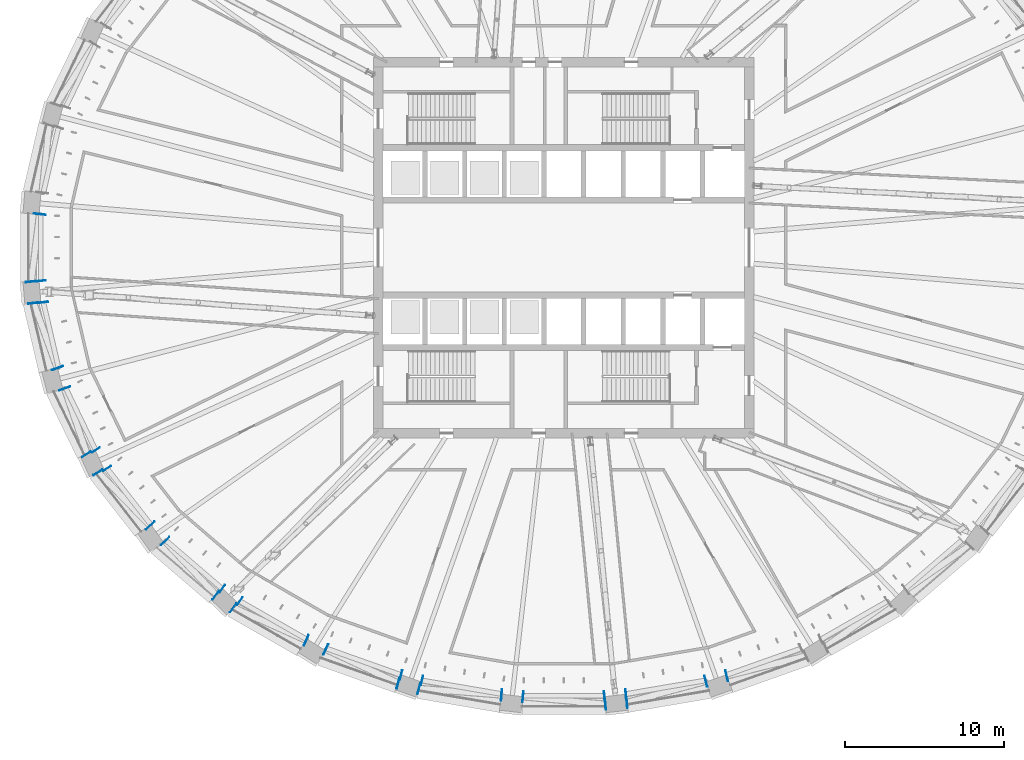
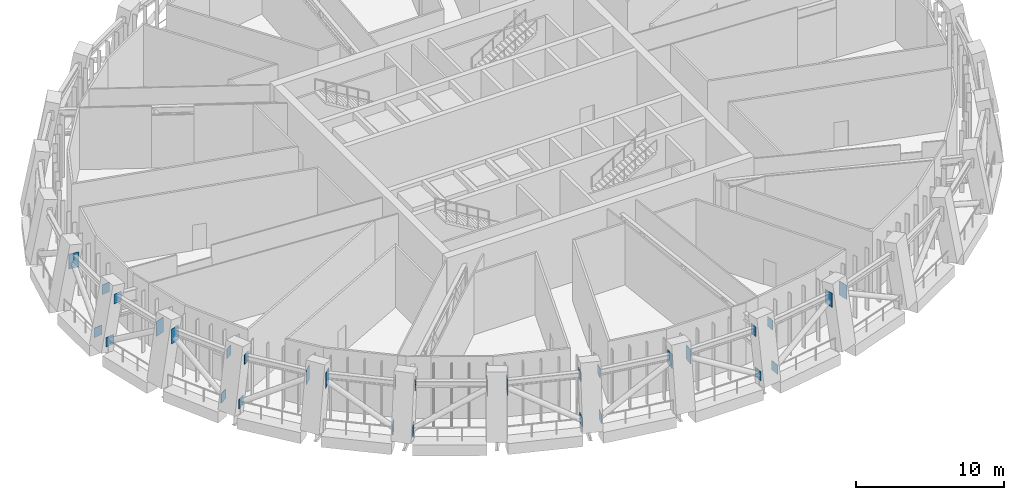
# One storey, part 12 of 21: 31 discrete accessories.
"""IFC4 building model written with IfcOpenShell, lengths in metres."""

from ifc_helpers import new_model, si_unit, direction, frame, origin, origin_2d, place, context, subcontext, project, spatial, rectangle, extrude, material, layer, layer_set, type_object, element, save


model = new_model("IFC4")

# Units and contexts
model_context = context("Model", 3, precision=1e-05, world=origin(), true_north=direction((0.0, 1.0)))
body_context = subcontext(model_context, "Body", "Model", "MODEL_VIEW")
ifc_project = project(units=[si_unit("LENGTHUNIT", "METRE"), si_unit("AREAUNIT", "SQUARE_METRE"), si_unit("VOLUMEUNIT", "CUBIC_METRE"), si_unit("PLANEANGLEUNIT", "RADIAN"), si_unit("MASSUNIT", "GRAM", prefix="KILO")], contexts=[model_context])

# Site, building, storey
site_placement = place(None, origin())
site = spatial("IfcSite", under=ifc_project, at=site_placement, CompositionType="ELEMENT")
building_placement = place(site_placement, origin())
building = spatial("IfcBuilding", under=site, at=building_placement, Name="Halqa Exchange Tower", CompositionType="ELEMENT")
storey_placement = place(building_placement, frame((0.0, 0.0, 173.5)))
storey = spatial("IfcBuildingStorey", under=building, at=storey_placement, Name="L39", CompositionType="ELEMENT", Elevation=173.5)

# Discrete accessories
ifc_material = material(Name="Steel S355", Category="steel")
ifc_layer = layer(ifc_material, 0.0400390625)
ifc_layer_set = layer_set([ifc_layer], Name="Steel S355")
discrete_accessory_type = type_object("IfcDiscreteAccessoryType", Name="Belt truss anchor plate 40", PredefinedType="ANCHORPLATE", material=ifc_layer_set)
discrete_accessory_1_placement = place(storey_placement, frame((-33.04052734375, 2.126953125, 4.031005859375), z_axis=(-0.116485527129, -0.993192389202, 0.0), x_axis=(0.993192389202, -0.116485527129, 0.0)))
element("IfcDiscreteAccessory", 1, at=discrete_accessory_1_placement, inside=storey, type_object=discrete_accessory_type, Name="Belt truss anchor plate", PredefinedType="ANCHORPLATE", context=body_context, shape_type="SweptSolid", body=[
    extrude(rectangle(XDim=0.736083984375, YDim=1.238037109375, at=origin_2d()), origin(), (0.0, 0.0, 1.0), 0.039794921875),
])
for number, where, z_axis, x_axis, name in (
    (2, (-32.822998046875, -3.4306640625, 4.25), (0.115780500934, -0.993274823804, 0.0), (0.993274823804, 0.115780500934, 0.0), "Belt truss anchor plate"),
    (3, (-32.97314453125, -2.119384765625, 4.25), (-0.109762219212, 0.993957873973, 0.0), (-0.993957873973, -0.109762219212, 0.0), "Belt truss anchor plate"),
):
    element("IfcDiscreteAccessory", number, at=place(storey_placement, frame(where, z_axis=z_axis, x_axis=x_axis)), inside=storey, type_object=discrete_accessory_type, Name=name, PredefinedType="ANCHORPLATE", context=body_context, shape_type="SweptSolid", body=[
        extrude(rectangle(XDim=0.60009765625, YDim=0.800048828125, at=origin_2d()), origin(), (0.0, 0.0, 1.0), 0.0400390625),
    ])
discrete_accessory_2_placement = place(storey_placement, frame((-33.45849609375, -3.482666015625, 0.950927734375), z_axis=(0.109762219212, -0.993957873973, 0.0), x_axis=(0.993957873973, 0.109762219212, 0.0)))
element("IfcDiscreteAccessory", 4, at=discrete_accessory_2_placement, inside=storey, type_object=discrete_accessory_type, Name="Belt truss anchor plate", PredefinedType="ANCHORPLATE", context=body_context, shape_type="SweptSolid", body=[
    extrude(rectangle(XDim=0.652099609375, YDim=0.784912109375, at=origin_2d()), origin(), (0.0, 0.0, 1.0), 0.0400390625),
])
discrete_accessory_3_placement = place(storey_placement, frame((-33.6083984375, -2.171142578125, 0.956787109375), z_axis=(-0.110431526075, 0.993883734674, 0.0), x_axis=(-0.993883734674, -0.110431526075, 0.0)))
element("IfcDiscreteAccessory", 5, at=discrete_accessory_3_placement, inside=storey, type_object=discrete_accessory_type, Name="Belt truss anchor plate", PredefinedType="ANCHORPLATE", context=body_context, shape_type="SweptSolid", body=[
    extrude(rectangle(XDim=0.64990234375, YDim=0.787109375, at=origin_2d()), origin(), (0.0, 0.0, 1.0), 0.039794921875),
])
discrete_accessory_4_placement = place(storey_placement, frame((-31.4794921875, -8.86376953125, 4.0341796875), z_axis=(0.328993186606, -0.944332294887, 0.0), x_axis=(0.944332294887, 0.328993186606, 0.0)))
element("IfcDiscreteAccessory", 6, at=discrete_accessory_4_placement, inside=storey, type_object=discrete_accessory_type, Name="Belt truss anchor plate", PredefinedType="ANCHORPLATE", context=body_context, shape_type="SweptSolid", body=[
    extrude(rectangle(XDim=0.73291015625, YDim=1.23193359375, at=origin_2d()), origin(), (0.0, 0.0, 1.0), 0.0400390625),
])
discrete_accessory_5_placement = place(storey_placement, frame((-31.919189453125, -7.619140625, 4.03466796875), z_axis=(-0.336336396998, 0.941741911595, 0.0), x_axis=(-0.941741911595, -0.336336396998, 0.0)))
element("IfcDiscreteAccessory", 7, at=discrete_accessory_5_placement, inside=storey, type_object=discrete_accessory_type, Name="Belt truss anchor plate", PredefinedType="ANCHORPLATE", context=body_context, shape_type="SweptSolid", body=[
    extrude(rectangle(XDim=0.73388671875, YDim=1.23095703125, at=origin_2d()), origin(), (0.0, 0.0, 1.0), 0.0400390625),
])
for number, where, z_axis, x_axis, name in (
    (8, (-28.8125, -13.91064453125, 4.25), (0.526143980405, -0.850395503212, 0.0), (0.850395503212, 0.526143980405, 0.0), "Belt truss anchor plate"),
    (9, (-29.509521484375, -12.78955078125, 4.25), (-0.526143980405, 0.850395503212, 0.0), (-0.850395503212, -0.526143980405, 0.0), "Belt truss anchor plate"),
):
    element("IfcDiscreteAccessory", number, at=place(storey_placement, frame(where, z_axis=z_axis, x_axis=x_axis)), inside=storey, type_object=discrete_accessory_type, Name=name, PredefinedType="ANCHORPLATE", context=body_context, shape_type="SweptSolid", body=[
        extrude(rectangle(XDim=0.60009765625, YDim=0.800048828125, at=origin_2d()), origin(), (0.0, 0.0, 1.0), 0.039794921875),
    ])
discrete_accessory_6_placement = place(storey_placement, frame((-29.37841796875, -14.162353515625, 0.92529296875), z_axis=(0.526143980405, -0.850395503212, 0.0), x_axis=(0.850395503212, 0.526143980405, 0.0)))
element("IfcDiscreteAccessory", 10, at=discrete_accessory_6_placement, inside=storey, type_object=discrete_accessory_type, Name="Belt truss anchor plate", PredefinedType="ANCHORPLATE", context=body_context, shape_type="SweptSolid", body=[
    extrude(rectangle(XDim=0.666015625, YDim=0.778076171875, at=origin_2d()), origin(), (0.0, 0.0, 1.0), 0.039794921875),
])
discrete_accessory_7_placement = place(storey_placement, frame((-30.0732421875, -13.0400390625, 0.950927734375), z_axis=(-0.530546985787, 0.847655529016, 0.0), x_axis=(-0.847655529016, -0.530546985787, 0.0)))
element("IfcDiscreteAccessory", 11, at=discrete_accessory_7_placement, inside=storey, type_object=discrete_accessory_type, Name="Belt truss anchor plate", PredefinedType="ANCHORPLATE", context=body_context, shape_type="SweptSolid", body=[
    extrude(rectangle(XDim=0.657958984375, YDim=0.784912109375, at=origin_2d()), origin(), (0.0, 0.0, 1.0), 0.0400390625),
])
discrete_accessory_8_placement = place(storey_placement, frame((-25.153564453125, -18.490966796875, 4.04736328125), z_axis=(0.694812020929, -0.719191390085, 0.0), x_axis=(0.719191390085, 0.694812020929, 0.0)))
element("IfcDiscreteAccessory", 12, at=discrete_accessory_8_placement, inside=storey, type_object=discrete_accessory_type, Name="Belt truss anchor plate", PredefinedType="ANCHORPLATE", context=body_context, shape_type="SweptSolid", body=[
    extrude(rectangle(XDim=0.72412109375, YDim=1.205078125, at=origin_2d()), origin(), (0.0, 0.0, 1.0), 0.0400390625),
])
discrete_accessory_9_placement = place(storey_placement, frame((-26.065673828125, -17.53662109375, 4.0478515625), z_axis=(-0.691639439628, 0.722242954656, 0.0), x_axis=(-0.722242954656, -0.691639439628, 0.0)))
element("IfcDiscreteAccessory", 13, at=discrete_accessory_9_placement, inside=storey, type_object=discrete_accessory_type, Name="Belt truss anchor plate", PredefinedType="ANCHORPLATE", context=body_context, shape_type="SweptSolid", body=[
    extrude(rectangle(XDim=0.72607421875, YDim=1.2041015625, at=origin_2d()), origin(), (0.0, 0.0, 1.0), 0.039794921875),
])
discrete_accessory_10_placement = place(storey_placement, frame((-20.444091796875, -22.282470703125, 4.25), z_axis=(0.816627394595, -0.577165226255, 0.0), x_axis=(0.577165226255, 0.816627394595, 0.0)))
element("IfcDiscreteAccessory", 14, at=discrete_accessory_10_placement, inside=storey, type_object=discrete_accessory_type, Name="Belt truss anchor plate", PredefinedType="ANCHORPLATE", context=body_context, shape_type="SweptSolid", body=[
    extrude(rectangle(XDim=0.60009765625, YDim=0.800048828125, at=origin_2d()), origin(), (0.0, 0.0, 1.0), 0.039794921875),
])
discrete_accessory_11_placement = place(storey_placement, frame((-21.522705078125, -21.521484375, 4.25), z_axis=(-0.81865747399, 0.57428210862, 0.0), x_axis=(-0.57428210862, -0.81865747399, 0.0)))
element("IfcDiscreteAccessory", 15, at=discrete_accessory_11_placement, inside=storey, type_object=discrete_accessory_type, Name="Belt truss anchor plate", PredefinedType="ANCHORPLATE", context=body_context, shape_type="SweptSolid", body=[
    extrude(rectangle(XDim=0.60009765625, YDim=0.800048828125, at=origin_2d()), origin(), (0.0, 0.0, 1.0), 0.0400390625),
])
discrete_accessory_12_placement = place(storey_placement, frame((-20.853271484375, -22.697998046875, 0.90087890625), z_axis=(0.81865747399, -0.57428210862, 0.0), x_axis=(0.57428210862, 0.81865747399, 0.0)))
element("IfcDiscreteAccessory", 16, at=discrete_accessory_12_placement, inside=storey, type_object=discrete_accessory_type, Name="Belt truss anchor plate", PredefinedType="ANCHORPLATE", context=body_context, shape_type="SweptSolid", body=[
    extrude(rectangle(XDim=0.68310546875, YDim=0.77099609375, at=origin_2d()), origin(), (0.0, 0.0, 1.0), 0.0400390625),
])
discrete_accessory_13_placement = place(storey_placement, frame((-21.930908203125, -21.935302734375, 0.9248046875), z_axis=(-0.816627394595, 0.577165226255, 0.0), x_axis=(-0.577165226255, -0.816627394595, 0.0)))
element("IfcDiscreteAccessory", 17, at=discrete_accessory_13_placement, inside=storey, type_object=discrete_accessory_type, Name="Belt truss anchor plate", PredefinedType="ANCHORPLATE", context=body_context, shape_type="SweptSolid", body=[
    extrude(rectangle(XDim=0.675048828125, YDim=0.778076171875, at=origin_2d()), origin(), (0.0, 0.0, 1.0), 0.039794921875),
])
discrete_accessory_14_placement = place(storey_placement, frame((-15.018798828125, -25.32080078125, 4.060546875), z_axis=(0.90742390538, -0.420216439404, 0.0), x_axis=(0.420216439404, 0.90742390538, 0.0)))
element("IfcDiscreteAccessory", 18, at=discrete_accessory_14_placement, inside=storey, type_object=discrete_accessory_type, Name="Belt truss anchor plate", PredefinedType="ANCHORPLATE", context=body_context, shape_type="SweptSolid", body=[
    extrude(rectangle(XDim=0.717041015625, YDim=1.178955078125, at=origin_2d()), origin(), (0.0, 0.0, 1.0), 0.0400390625),
])
discrete_accessory_15_placement = place(storey_placement, frame((-16.218505859375, -24.7705078125, 4.060791015625), z_axis=(-0.9097381412, 0.415182507393, 0.0), x_axis=(-0.415182507393, -0.9097381412, 0.0)))
element("IfcDiscreteAccessory", 19, at=discrete_accessory_15_placement, inside=storey, type_object=discrete_accessory_type, Name="Belt truss anchor plate", PredefinedType="ANCHORPLATE", context=body_context, shape_type="SweptSolid", body=[
    extrude(rectangle(XDim=0.718017578125, YDim=1.177978515625, at=origin_2d()), origin(), (0.0, 0.0, 1.0), 0.0400390625),
])
discrete_accessory_16_placement = place(storey_placement, frame((-8.965087890625, -27.2880859375, 4.25), z_axis=(0.968324838627, -0.249693826313, 0.0), x_axis=(0.249693826313, 0.968324838627, 0.0)))
element("IfcDiscreteAccessory", 20, at=discrete_accessory_16_placement, inside=storey, type_object=discrete_accessory_type, Name="Belt truss anchor plate", PredefinedType="ANCHORPLATE", context=body_context, shape_type="SweptSolid", body=[
    extrude(rectangle(XDim=0.60009765625, YDim=0.800048828125, at=origin_2d()), origin(), (0.0, 0.0, 1.0), 0.0400390625),
])
discrete_accessory_17_placement = place(storey_placement, frame((-10.242431640625, -26.954833984375, 4.25), z_axis=(-0.967941754644, 0.251174759116, 0.0), x_axis=(-0.251174759116, -0.967941754644, 0.0)))
element("IfcDiscreteAccessory", 21, at=discrete_accessory_17_placement, inside=storey, type_object=discrete_accessory_type, Name="Belt truss anchor plate", PredefinedType="ANCHORPLATE", context=body_context, shape_type="SweptSolid", body=[
    extrude(rectangle(XDim=0.60009765625, YDim=0.800048828125, at=origin_2d()), origin(), (0.0, 0.0, 1.0), 0.039794921875),
])
discrete_accessory_18_placement = place(storey_placement, frame((-9.15283203125, -27.8046875, 0.88818359375), z_axis=(0.967941754644, -0.251174759116, 0.0), x_axis=(0.251174759116, 0.967941754644, 0.0)))
element("IfcDiscreteAccessory", 22, at=discrete_accessory_18_placement, inside=storey, type_object=discrete_accessory_type, Name="Belt truss anchor plate", PredefinedType="ANCHORPLATE", context=body_context, shape_type="SweptSolid", body=[
    extrude(rectangle(XDim=0.69189453125, YDim=0.76806640625, at=origin_2d()), origin(), (0.0, 0.0, 1.0), 0.039794921875),
])
discrete_accessory_19_placement = place(storey_placement, frame((-10.429931640625, -27.470703125, 0.89990234375), z_axis=(-0.968324838627, 0.249693826313, 0.0), x_axis=(-0.249693826313, -0.968324838627, 0.0)))
element("IfcDiscreteAccessory", 23, at=discrete_accessory_19_placement, inside=storey, type_object=discrete_accessory_type, Name="Belt truss anchor plate", PredefinedType="ANCHORPLATE", context=body_context, shape_type="SweptSolid", body=[
    extrude(rectangle(XDim=0.68896484375, YDim=0.77099609375, at=origin_2d()), origin(), (0.0, 0.0, 1.0), 0.0400390625),
])
discrete_accessory_20_placement = place(storey_placement, frame((-2.590087890625, -28.319580078125, 4.067138671875), z_axis=(0.996331773833, -0.085574508182, 0.0), x_axis=(0.085574508182, 0.996331773833, 0.0)))
element("IfcDiscreteAccessory", 24, at=discrete_accessory_20_placement, inside=storey, type_object=discrete_accessory_type, Name="Belt truss anchor plate", PredefinedType="ANCHORPLATE", context=body_context, shape_type="SweptSolid", body=[
    extrude(rectangle(XDim=0.714111328125, YDim=1.166015625, at=origin_2d()), origin(), (0.0, 0.0, 1.0), 0.0400390625),
])
discrete_accessory_21_placement = place(storey_placement, frame((-3.9052734375, -28.208251953125, 4.067138671875), z_axis=(-0.996872997497, 0.079020420533, 0.0), x_axis=(-0.079020420533, -0.996872997497, 0.0)))
element("IfcDiscreteAccessory", 25, at=discrete_accessory_21_placement, inside=storey, type_object=discrete_accessory_type, Name="Belt truss anchor plate", PredefinedType="ANCHORPLATE", context=body_context, shape_type="SweptSolid", body=[
    extrude(rectangle(XDim=0.714111328125, YDim=1.166015625, at=origin_2d()), origin(), (0.0, 0.0, 1.0), 0.040283203125),
])
discrete_accessory_22_placement = place(storey_placement, frame((3.900390625, -28.151611328125, 4.25), z_axis=(0.996376129781, 0.085056498884, 0.0), x_axis=(-0.085056498884, 0.996376129781, 0.0)))
element("IfcDiscreteAccessory", 26, at=discrete_accessory_22_placement, inside=storey, type_object=discrete_accessory_type, Name="Belt truss anchor plate", PredefinedType="ANCHORPLATE", context=body_context, shape_type="SweptSolid", body=[
    extrude(rectangle(XDim=0.60009765625, YDim=0.800048828125, at=origin_2d()), origin(), (0.0, 0.0, 1.0), 0.040283203125),
])
discrete_accessory_23_placement = place(storey_placement, frame((2.585205078125, -28.2626953125, 4.25), z_axis=(-0.996331773833, -0.085574508182, 0.0), x_axis=(0.085574508182, -0.996331773833, 0.0)))
element("IfcDiscreteAccessory", 27, at=discrete_accessory_23_placement, inside=storey, type_object=discrete_accessory_type, Name="Belt truss anchor plate", PredefinedType="ANCHORPLATE", context=body_context, shape_type="SweptSolid", body=[
    extrude(rectangle(XDim=0.60009765625, YDim=0.800048828125, at=origin_2d()), origin(), (0.0, 0.0, 1.0), 0.0400390625),
])
discrete_accessory_24_placement = place(storey_placement, frame((3.9638671875, -28.688720703125, 0.892333984375), z_axis=(0.996376129781, 0.085056498884, 0.0), x_axis=(-0.085056498884, 0.996376129781, 0.0)))
element("IfcDiscreteAccessory", 28, at=discrete_accessory_24_placement, inside=storey, type_object=discrete_accessory_type, Name="Belt truss anchor plate", PredefinedType="ANCHORPLATE", context=body_context, shape_type="SweptSolid", body=[
    extrude(rectangle(XDim=0.69189453125, YDim=0.76904296875, at=origin_2d()), origin(), (0.0, 0.0, 1.0), 0.040283203125),
])
discrete_accessory_25_placement = place(storey_placement, frame((2.648681640625, -28.80029296875, 0.887939453125), z_axis=(-0.996331773833, -0.085574508182, 0.0), x_axis=(0.085574508182, -0.996331773833, 0.0)))
element("IfcDiscreteAccessory", 29, at=discrete_accessory_25_placement, inside=storey, type_object=discrete_accessory_type, Name="Belt truss anchor plate", PredefinedType="ANCHORPLATE", context=body_context, shape_type="SweptSolid", body=[
    extrude(rectangle(XDim=0.693115234375, YDim=0.76806640625, at=origin_2d()), origin(), (0.0, 0.0, 1.0), 0.0400390625),
])
discrete_accessory_26_placement = place(storey_placement, frame((10.2568359375, -27.010986328125, 4.065185546875), z_axis=(0.968324838627, 0.249693826313, 0.0), x_axis=(-0.249693826313, 0.968324838627, 0.0)))
element("IfcDiscreteAccessory", 30, at=discrete_accessory_26_placement, inside=storey, type_object=discrete_accessory_type, Name="Belt truss anchor plate", PredefinedType="ANCHORPLATE", context=body_context, shape_type="SweptSolid", body=[
    extrude(rectangle(XDim=0.716064453125, YDim=1.169921875, at=origin_2d()), origin(), (0.0, 0.0, 1.0), 0.0400390625),
])
discrete_accessory_27_placement = place(storey_placement, frame((8.9794921875, -27.343505859375, 4.06494140625), z_axis=(-0.967941754644, -0.251174759116, 0.0), x_axis=(0.251174759116, -0.967941754644, 0.0)))
element("IfcDiscreteAccessory", 31, at=discrete_accessory_27_placement, inside=storey, type_object=discrete_accessory_type, Name="Belt truss anchor plate", PredefinedType="ANCHORPLATE", context=body_context, shape_type="SweptSolid", body=[
    extrude(rectangle(XDim=0.715087890625, YDim=1.169921875, at=origin_2d()), origin(), (0.0, 0.0, 1.0), 0.039794921875),
])

save(model, "model.ifc")
